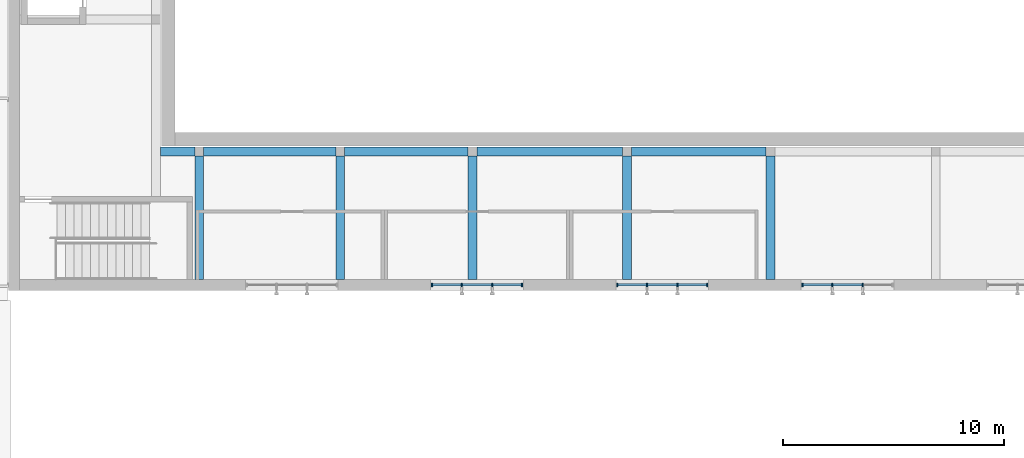
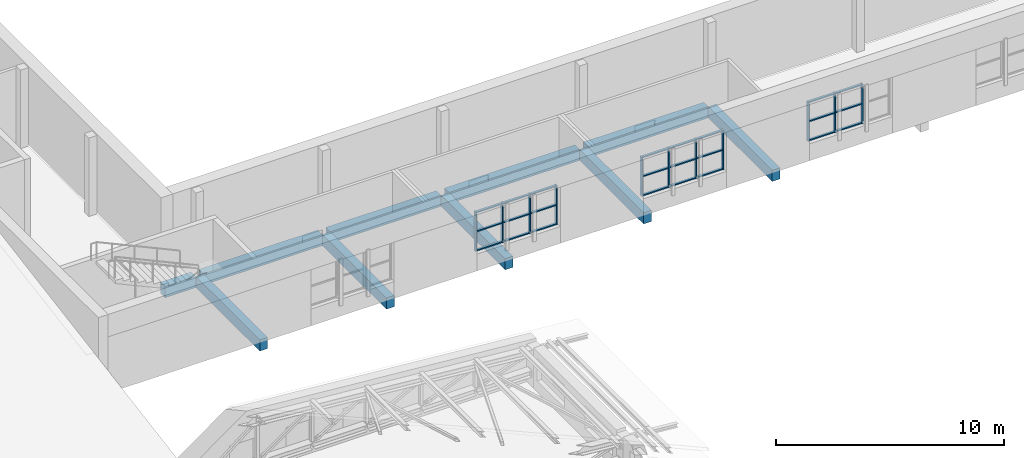
# One storey, part 22 of 60: 35 members, 10 beams, 3 elements without a shape of their own.
"""IFC4 building model written with IfcOpenShell, lengths in metres."""

from ifc_helpers import new_model, si_unit, direction, frame, origin, origin_2d, place, context, subcontext, project, spatial, rectangle, extrude, material, material_profile, profile_set, type_object, element, aggregate, save


model = new_model("IFC4")

# Units and contexts
model_context = context("Model", 3, precision=1e-05, world=origin(), true_north=direction((0.0, 1.0)))
body_context = subcontext(model_context, "Body", "Model", "MODEL_VIEW")
ifc_project = project(units=[si_unit("LENGTHUNIT", "METRE"), si_unit("AREAUNIT", "SQUARE_METRE"), si_unit("VOLUMEUNIT", "CUBIC_METRE"), si_unit("PLANEANGLEUNIT", "RADIAN"), si_unit("MASSUNIT", "GRAM", prefix="KILO")], contexts=[model_context])

# Site, building, storey
site_placement = place(None, origin())
site = spatial("IfcSite", under=ifc_project, at=site_placement, CompositionType="ELEMENT")
building_placement = place(site_placement, origin())
building = spatial("IfcBuilding", under=site, at=building_placement, Name="Ljudholm Concert House", CompositionType="ELEMENT")
storey_placement = place(building_placement, frame((0.0, 0.0, 15.0)))
storey = spatial("IfcBuildingStorey", under=building, at=storey_placement, Name="L03", CompositionType="ELEMENT", Elevation=15.0)

# Curtain wall, members
ifc_material_1 = material(Name="Aluminium curtain wall with impact-rated laminated glass", Category="aluminium")
curtain_wall_type = type_object("IfcCurtainWallType", Name="CURTAIN WALL 1400", PredefinedType="NOTDEFINED", material=ifc_material_1)
curtain_wall_1_placement = place(storey_placement, origin())
curtain_wall_1 = element("IfcCurtainWall", 1, at=curtain_wall_1_placement, inside=storey, type_object=curtain_wall_type, Name="Promenade curtain wall", PredefinedType="NOTDEFINED")
ifc_material_2 = material(Name="Aluminium extrusion", Category="aluminium")
ifc_material_profile_1 = material_profile(ifc_material_2, rectangle(XDim=0.159912109375, YDim=0.06005859375, at=origin_2d()), Name="MULLION 60x160")
ifc_profile_set_1 = profile_set([ifc_material_profile_1], Name="Aluminium extrusion")
member_type_1 = type_object("IfcMemberType", Name="MULLION 60x160", PredefinedType="MULLION", material=ifc_profile_set_1)
member_1_placement = place(storey_placement, frame((48.159912109375, 54.39990234375, 0.89990234375), z_axis=(0.0, 0.0, 1.0), x_axis=(0.0, 1.0, 0.0)))
member_1 = element("IfcMember", 2, at=member_1_placement, type_object=member_type_1, Name="Mullion", PredefinedType="MULLION", context=body_context, shape_type="SweptSolid", body=[
    extrude(rectangle(XDim=0.159912109375, YDim=0.06005859375, at=origin_2d()), origin(), (0.0, 0.0, 1.0), 2.10009765625),
])
member_2_placement = place(storey_placement, frame((49.510009765625, 54.39990234375, 0.89990234375), z_axis=(0.0, 0.0, 1.0), x_axis=(0.0, 1.0, 0.0)))
member_2 = element("IfcMember", 3, at=member_2_placement, type_object=member_type_1, Name="Mullion", PredefinedType="MULLION", context=body_context, shape_type="SweptSolid", body=[
    extrude(rectangle(XDim=0.159912109375, YDim=0.06005859375, at=origin_2d()), origin(), (0.0, 0.0, 1.0), 2.10009765625),
])
member_3_placement = place(storey_placement, frame((50.889892578125, 54.39990234375, 0.89990234375), z_axis=(0.0, 0.0, 1.0), x_axis=(0.0, 1.0, 0.0)))
member_3 = element("IfcMember", 4, at=member_3_placement, type_object=member_type_1, Name="Mullion", PredefinedType="MULLION", context=body_context, shape_type="SweptSolid", body=[
    extrude(rectangle(XDim=0.159912109375, YDim=0.06005859375, at=origin_2d()), origin(), (0.0, 0.0, 1.0), 2.10009765625),
])
member_4_placement = place(storey_placement, frame((52.239990234375, 54.39990234375, 0.89990234375), z_axis=(0.0, 0.0, 1.0), x_axis=(0.0, 1.0, 0.0)))
member_4 = element("IfcMember", 5, at=member_4_placement, type_object=member_type_1, Name="Mullion", PredefinedType="MULLION", context=body_context, shape_type="SweptSolid", body=[
    extrude(rectangle(XDim=0.159912109375, YDim=0.06005859375, at=origin_2d()), origin(), (0.0, 0.0, 1.0), 2.10009765625),
])

curtain_wall_2_placement = place(storey_placement, origin())
curtain_wall_2 = element("IfcCurtainWall", 6, at=curtain_wall_2_placement, inside=storey, type_object=curtain_wall_type, Name="Promenade curtain wall", PredefinedType="NOTDEFINED")
member_5_placement = place(storey_placement, frame((56.56005859375, 54.39990234375, 0.89990234375), z_axis=(0.0, 0.0, 1.0), x_axis=(0.0, 1.0, 0.0)))
member_5 = element("IfcMember", 7, at=member_5_placement, type_object=member_type_1, Name="Mullion", PredefinedType="MULLION", context=body_context, shape_type="SweptSolid", body=[
    extrude(rectangle(XDim=0.159912109375, YDim=0.06005859375, at=origin_2d()), origin(), (0.0, 0.0, 1.0), 2.10009765625),
])
member_6_placement = place(storey_placement, frame((57.909912109375, 54.39990234375, 0.89990234375), z_axis=(0.0, 0.0, 1.0), x_axis=(0.0, 1.0, 0.0)))
member_6 = element("IfcMember", 8, at=member_6_placement, type_object=member_type_1, Name="Mullion", PredefinedType="MULLION", context=body_context, shape_type="SweptSolid", body=[
    extrude(rectangle(XDim=0.159912109375, YDim=0.06005859375, at=origin_2d()), origin(), (0.0, 0.0, 1.0), 2.10009765625),
])
member_7_placement = place(storey_placement, frame((59.2900390625, 54.39990234375, 0.89990234375), z_axis=(0.0, 0.0, 1.0), x_axis=(0.0, 1.0, 0.0)))
member_7 = element("IfcMember", 9, at=member_7_placement, type_object=member_type_1, Name="Mullion", PredefinedType="MULLION", context=body_context, shape_type="SweptSolid", body=[
    extrude(rectangle(XDim=0.159912109375, YDim=0.06005859375, at=origin_2d()), origin(), (0.0, 0.0, 1.0), 2.10009765625),
])
member_8_placement = place(storey_placement, frame((60.639892578125, 54.39990234375, 0.89990234375), z_axis=(0.0, 0.0, 1.0), x_axis=(0.0, 1.0, 0.0)))
member_8 = element("IfcMember", 10, at=member_8_placement, type_object=member_type_1, Name="Mullion", PredefinedType="MULLION", context=body_context, shape_type="SweptSolid", body=[
    extrude(rectangle(XDim=0.159912109375, YDim=0.06005859375, at=origin_2d()), origin(), (0.0, 0.0, 1.0), 2.10009765625),
])

curtain_wall_3_placement = place(storey_placement, origin())
curtain_wall_3 = element("IfcCurtainWall", 11, at=curtain_wall_3_placement, inside=storey, type_object=curtain_wall_type, Name="Promenade curtain wall", PredefinedType="NOTDEFINED")
member_9_placement = place(storey_placement, frame((64.9599609375, 54.39990234375, 0.89990234375), z_axis=(0.0, 0.0, 1.0), x_axis=(0.0, 1.0, 0.0)))
member_9 = element("IfcMember", 12, at=member_9_placement, type_object=member_type_1, Name="Mullion", PredefinedType="MULLION", context=body_context, shape_type="SweptSolid", body=[
    extrude(rectangle(XDim=0.159912109375, YDim=0.06005859375, at=origin_2d()), origin(), (0.0, 0.0, 1.0), 2.10009765625),
])
member_10_placement = place(storey_placement, frame((66.31005859375, 54.39990234375, 0.89990234375), z_axis=(0.0, 0.0, 1.0), x_axis=(0.0, 1.0, 0.0)))
member_10 = element("IfcMember", 13, at=member_10_placement, type_object=member_type_1, Name="Mullion", PredefinedType="MULLION", context=body_context, shape_type="SweptSolid", body=[
    extrude(rectangle(XDim=0.159912109375, YDim=0.06005859375, at=origin_2d()), origin(), (0.0, 0.0, 1.0), 2.10009765625),
])
member_11_placement = place(storey_placement, frame((67.68994140625, 54.39990234375, 0.89990234375), z_axis=(0.0, 0.0, 1.0), x_axis=(0.0, 1.0, 0.0)))
member_11 = element("IfcMember", 14, at=member_11_placement, type_object=member_type_1, Name="Mullion", PredefinedType="MULLION", context=body_context, shape_type="SweptSolid", body=[
    extrude(rectangle(XDim=0.159912109375, YDim=0.06005859375, at=origin_2d()), origin(), (0.0, 0.0, 1.0), 2.10009765625),
])

# Beams
ifc_material_3 = material(Name="Concrete 6,500 psi", Category="concrete")
ifc_material_profile_2 = material_profile(ifc_material_3, rectangle(XDim=0.39990234375, YDim=0.60009765625, at=origin_2d()), Name="RC BEAM 400x600")
ifc_profile_set_2 = profile_set([ifc_material_profile_2], Name="Concrete 6,500 psi")
beam_type = type_object("IfcBeamType", Name="RC BEAM 400x600", PredefinedType="BEAM", material=ifc_profile_set_2)
beam_1_placement = place(storey_placement, frame((37.800048828125, 60.449951171875, -0.550048828125), z_axis=(1.0, 0.0, 0.0), x_axis=(0.0, 1.0, 0.0)))
element("IfcBeam", 15, at=beam_1_placement, inside=storey, type_object=beam_type, Name="Ring beam", PredefinedType="BEAM", context=body_context, shape_type="SweptSolid", body=[
    extrude(rectangle(XDim=0.39990234375, YDim=0.60009765625, at=origin_2d()), origin(), (0.0, 0.0, 1.0), 6.0),
])
beam_2_placement = place(storey_placement, frame((44.199951171875, 60.449951171875, -0.550048828125), z_axis=(1.0, 0.0, 0.0), x_axis=(0.0, 1.0, 0.0)))
element("IfcBeam", 16, at=beam_2_placement, inside=storey, type_object=beam_type, Name="Ring beam", PredefinedType="BEAM", context=body_context, shape_type="SweptSolid", body=[
    extrude(rectangle(XDim=0.39990234375, YDim=0.60009765625, at=origin_2d()), origin(), (0.0, 0.0, 1.0), 5.60009765625),
])
beam_3_placement = place(storey_placement, frame((50.199951171875, 60.449951171875, -0.550048828125), z_axis=(1.0, 0.0, 0.0), x_axis=(0.0, 1.0, 0.0)))
element("IfcBeam", 17, at=beam_3_placement, inside=storey, type_object=beam_type, Name="Ring beam", PredefinedType="BEAM", context=body_context, shape_type="SweptSolid", body=[
    extrude(rectangle(XDim=0.39990234375, YDim=0.60009765625, at=origin_2d()), origin(), (0.0, 0.0, 1.0), 6.60009765625),
])
beam_4_placement = place(storey_placement, frame((57.199951171875, 60.449951171875, -0.550048828125), z_axis=(1.0, 0.0, 0.0), x_axis=(0.0, 1.0, 0.0)))
element("IfcBeam", 18, at=beam_4_placement, inside=storey, type_object=beam_type, Name="Ring beam", PredefinedType="BEAM", context=body_context, shape_type="SweptSolid", body=[
    extrude(rectangle(XDim=0.39990234375, YDim=0.60009765625, at=origin_2d()), origin(), (0.0, 0.0, 1.0), 6.10009765625),
])
for number, where, z_axis, x_axis, name in (
    (19, (37.60009765625, 60.25, -0.550048828125), (0.0, -1.0, 0.0), (1.0, 0.0, 0.0), "Ring cross beam"),
    (20, (44.0, 60.25, -0.550048828125), (0.0, -1.0, 0.0), (1.0, 0.0, 0.0), "Ring cross beam"),
    (21, (50.0, 60.25, -0.550048828125), (0.0, -1.0, 0.0), (1.0, 0.0, 0.0), "Ring cross beam"),
    (22, (57.0, 60.25, -0.550048828125), (0.0, -1.0, 0.0), (1.0, 0.0, 0.0), "Ring cross beam"),
    (23, (63.5, 60.25, -0.550048828125), (0.0, -1.0, 0.0), (1.0, 0.0, 0.0), "Ring cross beam"),
):
    element("IfcBeam", number, at=place(storey_placement, frame(where, z_axis=z_axis, x_axis=x_axis)), inside=storey, type_object=beam_type, Name=name, PredefinedType="BEAM", context=body_context, shape_type="SweptSolid", body=[
        extrude(rectangle(XDim=0.39990234375, YDim=0.60009765625, at=origin_2d()), origin(), (0.0, 0.0, 1.0), 5.60009765625),
    ])
beam_5_placement = place(storey_placement, frame((35.85009765625, 60.449951171875, -0.550048828125), z_axis=(1.0, 0.0, 0.0), x_axis=(0.0, 1.0, 0.0)))
element("IfcBeam", 24, at=beam_5_placement, inside=storey, type_object=beam_type, Name="Ring beam", PredefinedType="BEAM", context=body_context, shape_type="SweptSolid", body=[
    extrude(rectangle(XDim=0.39990234375, YDim=0.60009765625, at=origin_2d()), origin(), (0.0, 0.0, 1.0), 1.5498046875),
])

# Member
ifc_material_4 = material(Name="Aluminium extrusion", Category="aluminium")
ifc_material_profile_3 = material_profile(ifc_material_4, rectangle(XDim=0.1201171875, YDim=0.06005859375, at=origin_2d()), Name="TRANSOM 60x120")
ifc_profile_set_3 = profile_set([ifc_material_profile_3], Name="Aluminium extrusion")
member_type_2 = type_object("IfcMemberType", Name="TRANSOM 60x120", PredefinedType="USERDEFINED", material=ifc_profile_set_3)
member_12_placement = place(storey_placement, frame((48.18994140625, 54.39990234375, 0.929931640625), z_axis=(1.0, 0.0, 0.0), x_axis=(0.0, 1.0, 0.0)))
member_12 = element("IfcMember", 25, at=member_12_placement, type_object=member_type_2, Name="Transom", ObjectType="TRANSOM", PredefinedType="USERDEFINED", context=body_context, shape_type="SweptSolid", body=[
    extrude(rectangle(XDim=0.1201171875, YDim=0.06005859375, at=origin_2d()), origin(), (0.0, 0.0, 1.0), 1.2900390625),
])

member_13_placement = place(storey_placement, frame((48.18994140625, 54.39990234375, 1.949951171875), z_axis=(1.0, 0.0, 0.0), x_axis=(0.0, 1.0, 0.0)))
member_13 = element("IfcMember", 26, at=member_13_placement, type_object=member_type_2, Name="Transom", ObjectType="TRANSOM", PredefinedType="USERDEFINED", context=body_context, shape_type="SweptSolid", body=[
    extrude(rectangle(XDim=0.1201171875, YDim=0.06005859375, at=origin_2d()), origin(), (0.0, 0.0, 1.0), 1.2900390625),
])

member_14_placement = place(storey_placement, frame((48.18994140625, 54.39990234375, 2.969970703125), z_axis=(1.0, 0.0, 0.0), x_axis=(0.0, 1.0, 0.0)))
member_14 = element("IfcMember", 27, at=member_14_placement, type_object=member_type_2, Name="Transom", ObjectType="TRANSOM", PredefinedType="USERDEFINED", context=body_context, shape_type="SweptSolid", body=[
    extrude(rectangle(XDim=0.1201171875, YDim=0.06005859375, at=origin_2d()), origin(), (0.0, 0.0, 1.0), 1.2900390625),
])

member_15_placement = place(storey_placement, frame((49.5400390625, 54.39990234375, 0.929931640625), z_axis=(1.0, 0.0, 0.0), x_axis=(0.0, 1.0, 0.0)))
member_15 = element("IfcMember", 28, at=member_15_placement, type_object=member_type_2, Name="Transom", ObjectType="TRANSOM", PredefinedType="USERDEFINED", context=body_context, shape_type="SweptSolid", body=[
    extrude(rectangle(XDim=0.1201171875, YDim=0.06005859375, at=origin_2d()), origin(), (0.0, 0.0, 1.0), 1.320068359375),
])

member_16_placement = place(storey_placement, frame((49.5400390625, 54.39990234375, 1.949951171875), z_axis=(1.0, 0.0, 0.0), x_axis=(0.0, 1.0, 0.0)))
member_16 = element("IfcMember", 29, at=member_16_placement, type_object=member_type_2, Name="Transom", ObjectType="TRANSOM", PredefinedType="USERDEFINED", context=body_context, shape_type="SweptSolid", body=[
    extrude(rectangle(XDim=0.1201171875, YDim=0.06005859375, at=origin_2d()), origin(), (0.0, 0.0, 1.0), 1.320068359375),
])

member_17_placement = place(storey_placement, frame((49.5400390625, 54.39990234375, 2.969970703125), z_axis=(1.0, 0.0, 0.0), x_axis=(0.0, 1.0, 0.0)))
member_17 = element("IfcMember", 30, at=member_17_placement, type_object=member_type_2, Name="Transom", ObjectType="TRANSOM", PredefinedType="USERDEFINED", context=body_context, shape_type="SweptSolid", body=[
    extrude(rectangle(XDim=0.1201171875, YDim=0.06005859375, at=origin_2d()), origin(), (0.0, 0.0, 1.0), 1.320068359375),
])

member_18_placement = place(storey_placement, frame((50.919921875, 54.39990234375, 0.929931640625), z_axis=(1.0, 0.0, 0.0), x_axis=(0.0, 1.0, 0.0)))
member_18 = element("IfcMember", 31, at=member_18_placement, type_object=member_type_2, Name="Transom", ObjectType="TRANSOM", PredefinedType="USERDEFINED", context=body_context, shape_type="SweptSolid", body=[
    extrude(rectangle(XDim=0.1201171875, YDim=0.06005859375, at=origin_2d()), origin(), (0.0, 0.0, 1.0), 1.2900390625),
])

member_19_placement = place(storey_placement, frame((50.919921875, 54.39990234375, 1.949951171875), z_axis=(1.0, 0.0, 0.0), x_axis=(0.0, 1.0, 0.0)))
member_19 = element("IfcMember", 32, at=member_19_placement, type_object=member_type_2, Name="Transom", ObjectType="TRANSOM", PredefinedType="USERDEFINED", context=body_context, shape_type="SweptSolid", body=[
    extrude(rectangle(XDim=0.1201171875, YDim=0.06005859375, at=origin_2d()), origin(), (0.0, 0.0, 1.0), 1.2900390625),
])

member_20_placement = place(storey_placement, frame((50.919921875, 54.39990234375, 2.969970703125), z_axis=(1.0, 0.0, 0.0), x_axis=(0.0, 1.0, 0.0)))
member_20 = element("IfcMember", 33, at=member_20_placement, type_object=member_type_2, Name="Transom", ObjectType="TRANSOM", PredefinedType="USERDEFINED", context=body_context, shape_type="SweptSolid", body=[
    extrude(rectangle(XDim=0.1201171875, YDim=0.06005859375, at=origin_2d()), origin(), (0.0, 0.0, 1.0), 1.2900390625),
])

aggregate(curtain_wall_1, [member_1, member_2, member_3, member_4, member_12, member_13, member_14, member_15, member_16, member_17, member_18, member_19, member_20])

member_21_placement = place(storey_placement, frame((56.590087890625, 54.39990234375, 0.929931640625), z_axis=(1.0, 0.0, 0.0), x_axis=(0.0, 1.0, 0.0)))
member_21 = element("IfcMember", 34, at=member_21_placement, type_object=member_type_2, Name="Transom", ObjectType="TRANSOM", PredefinedType="USERDEFINED", context=body_context, shape_type="SweptSolid", body=[
    extrude(rectangle(XDim=0.1201171875, YDim=0.06005859375, at=origin_2d()), origin(), (0.0, 0.0, 1.0), 1.289794921875),
])

member_22_placement = place(storey_placement, frame((56.590087890625, 54.39990234375, 1.949951171875), z_axis=(1.0, 0.0, 0.0), x_axis=(0.0, 1.0, 0.0)))
member_22 = element("IfcMember", 35, at=member_22_placement, type_object=member_type_2, Name="Transom", ObjectType="TRANSOM", PredefinedType="USERDEFINED", context=body_context, shape_type="SweptSolid", body=[
    extrude(rectangle(XDim=0.1201171875, YDim=0.06005859375, at=origin_2d()), origin(), (0.0, 0.0, 1.0), 1.289794921875),
])

member_23_placement = place(storey_placement, frame((56.590087890625, 54.39990234375, 2.969970703125), z_axis=(1.0, 0.0, 0.0), x_axis=(0.0, 1.0, 0.0)))
member_23 = element("IfcMember", 36, at=member_23_placement, type_object=member_type_2, Name="Transom", ObjectType="TRANSOM", PredefinedType="USERDEFINED", context=body_context, shape_type="SweptSolid", body=[
    extrude(rectangle(XDim=0.1201171875, YDim=0.06005859375, at=origin_2d()), origin(), (0.0, 0.0, 1.0), 1.289794921875),
])

member_24_placement = place(storey_placement, frame((57.93994140625, 54.39990234375, 0.929931640625), z_axis=(1.0, 0.0, 0.0), x_axis=(0.0, 1.0, 0.0)))
member_24 = element("IfcMember", 37, at=member_24_placement, type_object=member_type_2, Name="Transom", ObjectType="TRANSOM", PredefinedType="USERDEFINED", context=body_context, shape_type="SweptSolid", body=[
    extrude(rectangle(XDim=0.1201171875, YDim=0.06005859375, at=origin_2d()), origin(), (0.0, 0.0, 1.0), 1.320068359375),
])

member_25_placement = place(storey_placement, frame((57.93994140625, 54.39990234375, 1.949951171875), z_axis=(1.0, 0.0, 0.0), x_axis=(0.0, 1.0, 0.0)))
member_25 = element("IfcMember", 38, at=member_25_placement, type_object=member_type_2, Name="Transom", ObjectType="TRANSOM", PredefinedType="USERDEFINED", context=body_context, shape_type="SweptSolid", body=[
    extrude(rectangle(XDim=0.1201171875, YDim=0.06005859375, at=origin_2d()), origin(), (0.0, 0.0, 1.0), 1.320068359375),
])

member_26_placement = place(storey_placement, frame((57.93994140625, 54.39990234375, 2.969970703125), z_axis=(1.0, 0.0, 0.0), x_axis=(0.0, 1.0, 0.0)))
member_26 = element("IfcMember", 39, at=member_26_placement, type_object=member_type_2, Name="Transom", ObjectType="TRANSOM", PredefinedType="USERDEFINED", context=body_context, shape_type="SweptSolid", body=[
    extrude(rectangle(XDim=0.1201171875, YDim=0.06005859375, at=origin_2d()), origin(), (0.0, 0.0, 1.0), 1.320068359375),
])

member_27_placement = place(storey_placement, frame((59.320068359375, 54.39990234375, 0.929931640625), z_axis=(1.0, 0.0, 0.0), x_axis=(0.0, 1.0, 0.0)))
member_27 = element("IfcMember", 40, at=member_27_placement, type_object=member_type_2, Name="Transom", ObjectType="TRANSOM", PredefinedType="USERDEFINED", context=body_context, shape_type="SweptSolid", body=[
    extrude(rectangle(XDim=0.1201171875, YDim=0.06005859375, at=origin_2d()), origin(), (0.0, 0.0, 1.0), 1.2900390625),
])

member_28_placement = place(storey_placement, frame((59.320068359375, 54.39990234375, 1.949951171875), z_axis=(1.0, 0.0, 0.0), x_axis=(0.0, 1.0, 0.0)))
member_28 = element("IfcMember", 41, at=member_28_placement, type_object=member_type_2, Name="Transom", ObjectType="TRANSOM", PredefinedType="USERDEFINED", context=body_context, shape_type="SweptSolid", body=[
    extrude(rectangle(XDim=0.1201171875, YDim=0.06005859375, at=origin_2d()), origin(), (0.0, 0.0, 1.0), 1.2900390625),
])

member_29_placement = place(storey_placement, frame((59.320068359375, 54.39990234375, 2.969970703125), z_axis=(1.0, 0.0, 0.0), x_axis=(0.0, 1.0, 0.0)))
member_29 = element("IfcMember", 42, at=member_29_placement, type_object=member_type_2, Name="Transom", ObjectType="TRANSOM", PredefinedType="USERDEFINED", context=body_context, shape_type="SweptSolid", body=[
    extrude(rectangle(XDim=0.1201171875, YDim=0.06005859375, at=origin_2d()), origin(), (0.0, 0.0, 1.0), 1.2900390625),
])

aggregate(curtain_wall_2, [member_5, member_6, member_7, member_8, member_21, member_22, member_23, member_24, member_25, member_26, member_27, member_28, member_29])

member_30_placement = place(storey_placement, frame((64.989990234375, 54.39990234375, 0.929931640625), z_axis=(1.0, 0.0, 0.0), x_axis=(0.0, 1.0, 0.0)))
member_30 = element("IfcMember", 43, at=member_30_placement, type_object=member_type_2, Name="Transom", ObjectType="TRANSOM", PredefinedType="USERDEFINED", context=body_context, shape_type="SweptSolid", body=[
    extrude(rectangle(XDim=0.1201171875, YDim=0.06005859375, at=origin_2d()), origin(), (0.0, 0.0, 1.0), 1.2900390625),
])

member_31_placement = place(storey_placement, frame((64.989990234375, 54.39990234375, 1.949951171875), z_axis=(1.0, 0.0, 0.0), x_axis=(0.0, 1.0, 0.0)))
member_31 = element("IfcMember", 44, at=member_31_placement, type_object=member_type_2, Name="Transom", ObjectType="TRANSOM", PredefinedType="USERDEFINED", context=body_context, shape_type="SweptSolid", body=[
    extrude(rectangle(XDim=0.1201171875, YDim=0.06005859375, at=origin_2d()), origin(), (0.0, 0.0, 1.0), 1.2900390625),
])

member_32_placement = place(storey_placement, frame((64.989990234375, 54.39990234375, 2.969970703125), z_axis=(1.0, 0.0, 0.0), x_axis=(0.0, 1.0, 0.0)))
member_32 = element("IfcMember", 45, at=member_32_placement, type_object=member_type_2, Name="Transom", ObjectType="TRANSOM", PredefinedType="USERDEFINED", context=body_context, shape_type="SweptSolid", body=[
    extrude(rectangle(XDim=0.1201171875, YDim=0.06005859375, at=origin_2d()), origin(), (0.0, 0.0, 1.0), 1.2900390625),
])

member_33_placement = place(storey_placement, frame((66.340087890625, 54.39990234375, 0.929931640625), z_axis=(1.0, 0.0, 0.0), x_axis=(0.0, 1.0, 0.0)))
member_33 = element("IfcMember", 46, at=member_33_placement, type_object=member_type_2, Name="Transom", ObjectType="TRANSOM", PredefinedType="USERDEFINED", context=body_context, shape_type="SweptSolid", body=[
    extrude(rectangle(XDim=0.1201171875, YDim=0.06005859375, at=origin_2d()), origin(), (0.0, 0.0, 1.0), 1.31982421875),
])

member_34_placement = place(storey_placement, frame((66.340087890625, 54.39990234375, 1.949951171875), z_axis=(1.0, 0.0, 0.0), x_axis=(0.0, 1.0, 0.0)))
member_34 = element("IfcMember", 47, at=member_34_placement, type_object=member_type_2, Name="Transom", ObjectType="TRANSOM", PredefinedType="USERDEFINED", context=body_context, shape_type="SweptSolid", body=[
    extrude(rectangle(XDim=0.1201171875, YDim=0.06005859375, at=origin_2d()), origin(), (0.0, 0.0, 1.0), 1.31982421875),
])

member_35_placement = place(storey_placement, frame((66.340087890625, 54.39990234375, 2.969970703125), z_axis=(1.0, 0.0, 0.0), x_axis=(0.0, 1.0, 0.0)))
member_35 = element("IfcMember", 48, at=member_35_placement, type_object=member_type_2, Name="Transom", ObjectType="TRANSOM", PredefinedType="USERDEFINED", context=body_context, shape_type="SweptSolid", body=[
    extrude(rectangle(XDim=0.1201171875, YDim=0.06005859375, at=origin_2d()), origin(), (0.0, 0.0, 1.0), 1.31982421875),
])

aggregate(curtain_wall_3, [member_9, member_10, member_11, member_30, member_31, member_32, member_33, member_34, member_35])

save(model, "model.ifc")
